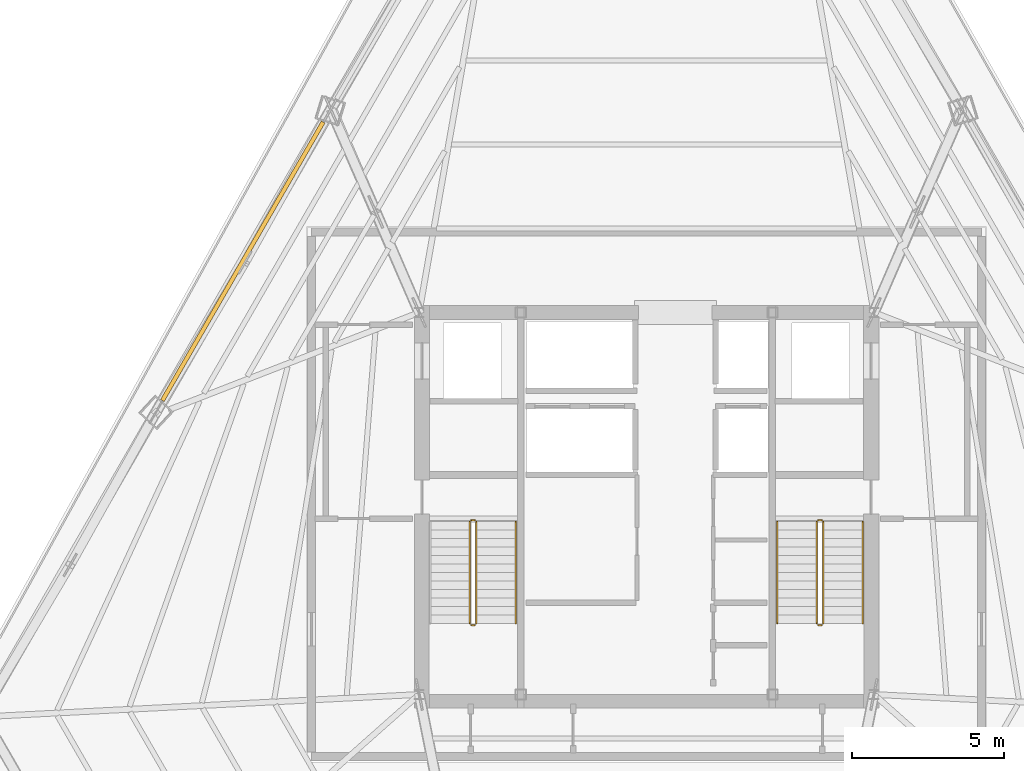
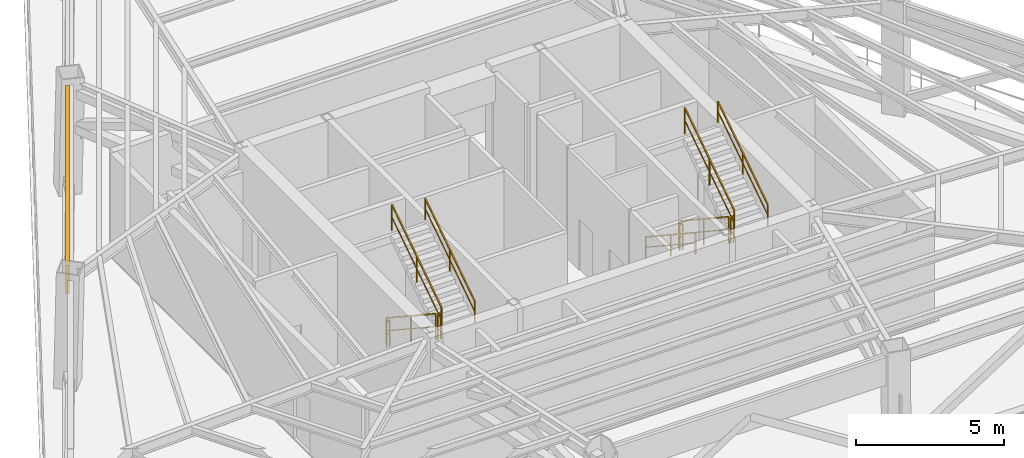
# One storey, part 9 of 10: 11 railings, 1 shading device.
"""IFC4 building model written with IfcOpenShell, lengths in metres."""

from ifc_helpers import new_model, si_unit, direction, frame, origin, origin_2d, place, context, subcontext, project, spatial, rectangle, extrude, source, transform, mapped, material, layer, layer_set, type_object, type_shapes, element, save


model = new_model("IFC4")

# Units and contexts
model_context = context("Model", 3, precision=1e-05, world=origin(), true_north=direction((0.0, 1.0)))
body_context = subcontext(model_context, "Body", "Model", "MODEL_VIEW")
ifc_project = project(units=[si_unit("LENGTHUNIT", "METRE"), si_unit("AREAUNIT", "SQUARE_METRE"), si_unit("VOLUMEUNIT", "CUBIC_METRE"), si_unit("PLANEANGLEUNIT", "RADIAN"), si_unit("MASSUNIT", "GRAM", prefix="KILO")], contexts=[model_context])

# Site, building, storey
site_placement = place(None, origin())
site = spatial("IfcSite", under=ifc_project, at=site_placement, CompositionType="ELEMENT")
building_placement = place(site_placement, origin())
building = spatial("IfcBuilding", under=site, at=building_placement, Name="Caelisora Broadcast Tower", CompositionType="ELEMENT")
storey_placement = place(building_placement, frame((0.0, 0.0, 220.550048828125)))
storey = spatial("IfcBuildingStorey", under=building, at=storey_placement, Name="L58", CompositionType="ELEMENT", Elevation=220.550048828125)

# Railings
ifc_material_1 = material(Name="Galvanised Steel Safety Guardrail", Category="steel")
ifc_layer_1 = layer(ifc_material_1, 0.048095703125, Name="Galvanised Steel Safety Guardrail")
ifc_layer_set_1 = layer_set([ifc_layer_1], Name="Galvanised Steel Safety Guardrail")
railing_type_1 = type_object("IfcRailingType", Name="GR-1", PredefinedType="GUARDRAIL", material=ifc_layer_set_1)
railing_1_placement = place(storey_placement, frame((32.169921875, 23.10009765625, 0.1845703125)))
element("IfcRailing", 1, at=railing_1_placement, inside=storey, type_object=railing_type_1, Name="L58 ST-1 stair guard 1", PredefinedType="GUARDRAIL", context=body_context, shape_type="SweptSolid", body=[
    extrude(rectangle(XDim=0.048095703125, YDim=0.048095703125, at=origin_2d()), frame((0.0, 0.0, 1.076171875), z_axis=(0.0, -0.834876476806, 0.550437342915), x_axis=(1.0, 0.0, 0.0)), (0.0, 0.0, 1.0), 4.024658203125),
    extrude(rectangle(XDim=0.03125, YDim=0.03125, at=origin_2d()), frame((0.0, 0.0, 0.550048828125), z_axis=(0.0, -0.834876476806, 0.550437342915), x_axis=(1.0, 0.0, 0.0)), (0.0, 0.0, 1.0), 4.024658203125),
    extrude(rectangle(XDim=0.0419921875, YDim=0.0419921875, at=origin_2d()), origin(), (0.0, 0.0, 1.0), 1.052001953125),
    extrude(rectangle(XDim=0.0419921875, YDim=0.0419921875, at=origin_2d()), frame((0.0, -1.68017578125, 1.107666015625)), (0.0, 0.0, 1.0), 1.052001953125),
    extrude(rectangle(XDim=0.0419921875, YDim=0.0419921875, at=origin_2d()), frame((0.0, -3.360107421875, 2.21533203125)), (0.0, 0.0, 1.0), 1.052001953125),
])
railing_2_placement = place(storey_placement, frame((32.219970703125, 19.68994140625, 2.39990234375)))
element("IfcRailing", 2, at=railing_2_placement, inside=storey, type_object=railing_type_1, Name="L58 ST-1 stair guard 2", PredefinedType="GUARDRAIL", context=body_context, shape_type="SweptSolid", body=[
    extrude(rectangle(XDim=0.048095703125, YDim=0.048095703125, at=origin_2d()), frame((0.0, 0.0, 1.076171875), z_axis=(1.0, 0.0, 0.0), x_axis=(0.0, 1.0, 0.0)), (0.0, 0.0, 1.0), 0.1201171875),
    extrude(rectangle(XDim=0.03125, YDim=0.03125, at=origin_2d()), frame((0.0, 0.0, 0.550048828125), z_axis=(1.0, 0.0, 0.0), x_axis=(0.0, 1.0, 0.0)), (0.0, 0.0, 1.0), 0.1201171875),
    extrude(rectangle(XDim=0.0419921875, YDim=0.0419921875, at=origin_2d()), origin(), (0.0, 0.0, 1.0), 1.052001953125),
    extrude(rectangle(XDim=0.0419921875, YDim=0.0419921875, at=origin_2d()), frame((0.1201171875, 0.0, 0.0)), (0.0, 0.0, 1.0), 1.052001953125),
])
railing_3_placement = place(storey_placement, frame((32.389892578125, 19.739990234375, 2.58447265625)))
element("IfcRailing", 3, at=railing_3_placement, inside=storey, type_object=railing_type_1, Name="L58 ST-1 stair guard 3", PredefinedType="GUARDRAIL", context=body_context, shape_type="SweptSolid", body=[
    extrude(rectangle(XDim=0.048095703125, YDim=0.048095703125, at=origin_2d()), frame((0.0, 0.0, 1.076171875), z_axis=(0.0, 0.834848600103, 0.550479622607), x_axis=(-1.0, 0.0, 0.0)), (0.0, 0.0, 1.0), 4.02490234375),
    extrude(rectangle(XDim=0.03125, YDim=0.03125, at=origin_2d()), frame((0.0, 0.0, 0.550048828125), z_axis=(0.0, 0.834848600103, 0.550479622607), x_axis=(-1.0, 0.0, 0.0)), (0.0, 0.0, 1.0), 4.02490234375),
    extrude(rectangle(XDim=0.0419921875, YDim=0.0419921875, at=origin_2d()), origin(), (0.0, 0.0, 1.0), 1.052001953125),
    extrude(rectangle(XDim=0.0419921875, YDim=0.0419921875, at=origin_2d()), frame((0.0, 1.68017578125, 1.10791015625)), (0.0, 0.0, 1.0), 1.052001953125),
    extrude(rectangle(XDim=0.0419921875, YDim=0.0419921875, at=origin_2d()), frame((0.0, 3.360107421875, 2.215576171875)), (0.0, 0.0, 1.0), 1.052001953125),
])
railing_4_placement = place(storey_placement, frame((32.219970703125, 23.14990234375, 0.0)))
element("IfcRailing", 4, at=railing_4_placement, inside=storey, type_object=railing_type_1, Name="L58 ST-1 stair guard 4", PredefinedType="GUARDRAIL", context=body_context, shape_type="SweptSolid", body=[
    extrude(rectangle(XDim=0.048095703125, YDim=0.048095703125, at=origin_2d()), frame((0.0, 0.0, 1.076171875), z_axis=(1.0, 0.0, 0.0), x_axis=(0.0, 1.0, 0.0)), (0.0, 0.0, 1.0), 0.1201171875),
    extrude(rectangle(XDim=0.03125, YDim=0.03125, at=origin_2d()), frame((0.0, 0.0, 0.550048828125), z_axis=(1.0, 0.0, 0.0), x_axis=(0.0, 1.0, 0.0)), (0.0, 0.0, 1.0), 0.1201171875),
    extrude(rectangle(XDim=0.0419921875, YDim=0.0419921875, at=origin_2d()), origin(), (0.0, 0.0, 1.0), 1.052001953125),
    extrude(rectangle(XDim=0.0419921875, YDim=0.0419921875, at=origin_2d()), frame((0.1201171875, 0.0, 0.0)), (0.0, 0.0, 1.0), 1.052001953125),
])
railing_5_placement = place(storey_placement, frame((43.610107421875, 23.10009765625, 0.1845703125)))
element("IfcRailing", 5, at=railing_5_placement, inside=storey, type_object=railing_type_1, Name="L58 ST-2 stair guard 1", PredefinedType="GUARDRAIL", context=body_context, shape_type="SweptSolid", body=[
    extrude(rectangle(XDim=0.048095703125, YDim=0.048095703125, at=origin_2d()), frame((0.0, 0.0, 1.076171875), z_axis=(0.0, -0.834876476806, 0.550437342915), x_axis=(1.0, 0.0, 0.0)), (0.0, 0.0, 1.0), 4.024658203125),
    extrude(rectangle(XDim=0.03125, YDim=0.03125, at=origin_2d()), frame((0.0, 0.0, 0.550048828125), z_axis=(0.0, -0.834876476806, 0.550437342915), x_axis=(1.0, 0.0, 0.0)), (0.0, 0.0, 1.0), 4.024658203125),
    extrude(rectangle(XDim=0.0419921875, YDim=0.0419921875, at=origin_2d()), origin(), (0.0, 0.0, 1.0), 1.052001953125),
    extrude(rectangle(XDim=0.0419921875, YDim=0.0419921875, at=origin_2d()), frame((0.0, -1.68017578125, 1.107666015625)), (0.0, 0.0, 1.0), 1.052001953125),
    extrude(rectangle(XDim=0.0419921875, YDim=0.0419921875, at=origin_2d()), frame((0.0, -3.360107421875, 2.21533203125)), (0.0, 0.0, 1.0), 1.052001953125),
])
railing_6_placement = place(storey_placement, frame((43.659912109375, 19.68994140625, 2.39990234375)))
element("IfcRailing", 6, at=railing_6_placement, inside=storey, type_object=railing_type_1, Name="L58 ST-2 stair guard 2", PredefinedType="GUARDRAIL", context=body_context, shape_type="SweptSolid", body=[
    extrude(rectangle(XDim=0.048095703125, YDim=0.048095703125, at=origin_2d()), frame((0.0, 0.0, 1.076171875), z_axis=(1.0, 0.0, 0.0), x_axis=(0.0, 1.0, 0.0)), (0.0, 0.0, 1.0), 0.1201171875),
    extrude(rectangle(XDim=0.03125, YDim=0.03125, at=origin_2d()), frame((0.0, 0.0, 0.550048828125), z_axis=(1.0, 0.0, 0.0), x_axis=(0.0, 1.0, 0.0)), (0.0, 0.0, 1.0), 0.1201171875),
    extrude(rectangle(XDim=0.0419921875, YDim=0.0419921875, at=origin_2d()), origin(), (0.0, 0.0, 1.0), 1.052001953125),
    extrude(rectangle(XDim=0.0419921875, YDim=0.0419921875, at=origin_2d()), frame((0.1201171875, 0.0, 0.0)), (0.0, 0.0, 1.0), 1.052001953125),
])
railing_7_placement = place(storey_placement, frame((43.830078125, 19.739990234375, 2.58447265625)))
element("IfcRailing", 7, at=railing_7_placement, inside=storey, type_object=railing_type_1, Name="L58 ST-2 stair guard 3", PredefinedType="GUARDRAIL", context=body_context, shape_type="SweptSolid", body=[
    extrude(rectangle(XDim=0.048095703125, YDim=0.048095703125, at=origin_2d()), frame((0.0, 0.0, 1.076171875), z_axis=(0.0, 0.834848600103, 0.550479622607), x_axis=(-1.0, 0.0, 0.0)), (0.0, 0.0, 1.0), 4.02490234375),
    extrude(rectangle(XDim=0.03125, YDim=0.03125, at=origin_2d()), frame((0.0, 0.0, 0.550048828125), z_axis=(0.0, 0.834848600103, 0.550479622607), x_axis=(-1.0, 0.0, 0.0)), (0.0, 0.0, 1.0), 4.02490234375),
    extrude(rectangle(XDim=0.0419921875, YDim=0.0419921875, at=origin_2d()), origin(), (0.0, 0.0, 1.0), 1.052001953125),
    extrude(rectangle(XDim=0.0419921875, YDim=0.0419921875, at=origin_2d()), frame((0.0, 1.68017578125, 1.10791015625)), (0.0, 0.0, 1.0), 1.052001953125),
    extrude(rectangle(XDim=0.0419921875, YDim=0.0419921875, at=origin_2d()), frame((0.0, 3.360107421875, 2.215576171875)), (0.0, 0.0, 1.0), 1.052001953125),
])
railing_8_placement = place(storey_placement, frame((43.659912109375, 23.14990234375, 0.0)))
element("IfcRailing", 8, at=railing_8_placement, inside=storey, type_object=railing_type_1, Name="L58 ST-2 stair guard 4", PredefinedType="GUARDRAIL", context=body_context, shape_type="SweptSolid", body=[
    extrude(rectangle(XDim=0.048095703125, YDim=0.048095703125, at=origin_2d()), frame((0.0, 0.0, 1.076171875), z_axis=(1.0, 0.0, 0.0), x_axis=(0.0, 1.0, 0.0)), (0.0, 0.0, 1.0), 0.1201171875),
    extrude(rectangle(XDim=0.03125, YDim=0.03125, at=origin_2d()), frame((0.0, 0.0, 0.550048828125), z_axis=(1.0, 0.0, 0.0), x_axis=(0.0, 1.0, 0.0)), (0.0, 0.0, 1.0), 0.1201171875),
    extrude(rectangle(XDim=0.0419921875, YDim=0.0419921875, at=origin_2d()), origin(), (0.0, 0.0, 1.0), 1.052001953125),
    extrude(rectangle(XDim=0.0419921875, YDim=0.0419921875, at=origin_2d()), frame((0.1201171875, 0.0, 0.0)), (0.0, 0.0, 1.0), 1.052001953125),
])
ifc_material_2 = material(Name="Stainless Steel Grade 316 Tubular Handrail", Category="steel")
ifc_layer_2 = layer(ifc_material_2, 0.048095703125, Name="Stainless Steel Grade 316 Tubular Handrail")
ifc_layer_set_2 = layer_set([ifc_layer_2], Name="Stainless Steel Grade 316 Tubular Handrail")
railing_type_2 = type_object("IfcRailingType", Name="HR-1", PredefinedType="HANDRAIL", material=ifc_layer_set_2)
railing_9_placement = place(storey_placement, frame((33.68994140625, 19.739990234375, 2.58447265625)))
element("IfcRailing", 9, at=railing_9_placement, inside=storey, type_object=railing_type_2, Name="L58 ST-1 stair handrail 2", PredefinedType="HANDRAIL", context=body_context, shape_type="SweptSolid", body=[
    extrude(rectangle(XDim=0.048095703125, YDim=0.048095703125, at=origin_2d()), frame((0.0, 0.0, 0.8759765625), z_axis=(0.0, 0.834848600103, 0.550479622607), x_axis=(-1.0, 0.0, 0.0)), (0.0, 0.0, 1.0), 4.02490234375),
    extrude(rectangle(XDim=0.03125, YDim=0.03125, at=origin_2d()), frame((0.0, 0.0, 0.449951171875), z_axis=(0.0, 0.834848600103, 0.550479622607), x_axis=(-1.0, 0.0, 0.0)), (0.0, 0.0, 1.0), 4.02490234375),
    extrude(rectangle(XDim=0.0419921875, YDim=0.0419921875, at=origin_2d()), origin(), (0.0, 0.0, 1.0), 0.851806640625),
    extrude(rectangle(XDim=0.0419921875, YDim=0.0419921875, at=origin_2d()), frame((0.0, 1.68017578125, 1.10791015625)), (0.0, 0.0, 1.0), 0.851806640625),
    extrude(rectangle(XDim=0.0419921875, YDim=0.0419921875, at=origin_2d()), frame((0.0, 3.360107421875, 2.215576171875)), (0.0, 0.0, 1.0), 0.851806640625),
])
railing_10_placement = place(storey_placement, frame((42.31005859375, 23.10009765625, 0.1845703125)))
element("IfcRailing", 10, at=railing_10_placement, inside=storey, type_object=railing_type_2, Name="L58 ST-2 stair handrail 1", PredefinedType="HANDRAIL", context=body_context, shape_type="SweptSolid", body=[
    extrude(rectangle(XDim=0.048095703125, YDim=0.048095703125, at=origin_2d()), frame((0.0, 0.0, 0.8759765625), z_axis=(0.0, -0.834876476806, 0.550437342915), x_axis=(1.0, 0.0, 0.0)), (0.0, 0.0, 1.0), 4.024658203125),
    extrude(rectangle(XDim=0.03125, YDim=0.03125, at=origin_2d()), frame((0.0, 0.0, 0.449951171875), z_axis=(0.0, -0.834876476806, 0.550437342915), x_axis=(1.0, 0.0, 0.0)), (0.0, 0.0, 1.0), 4.024658203125),
    extrude(rectangle(XDim=0.0419921875, YDim=0.0419921875, at=origin_2d()), origin(), (0.0, 0.0, 1.0), 0.851806640625),
    extrude(rectangle(XDim=0.0419921875, YDim=0.0419921875, at=origin_2d()), frame((0.0, -1.68017578125, 1.107666015625)), (0.0, 0.0, 1.0), 0.851806640625),
    extrude(rectangle(XDim=0.0419921875, YDim=0.0419921875, at=origin_2d()), frame((0.0, -3.360107421875, 2.21533203125)), (0.0, 0.0, 1.0), 0.851806640625),
])
railing_11_placement = place(storey_placement, frame((45.1298828125, 19.739990234375, 2.58447265625)))
element("IfcRailing", 11, at=railing_11_placement, inside=storey, type_object=railing_type_2, Name="L58 ST-2 stair handrail 2", PredefinedType="HANDRAIL", context=body_context, shape_type="SweptSolid", body=[
    extrude(rectangle(XDim=0.048095703125, YDim=0.048095703125, at=origin_2d()), frame((0.0, 0.0, 0.8759765625), z_axis=(0.0, 0.834848600103, 0.550479622607), x_axis=(-1.0, 0.0, 0.0)), (0.0, 0.0, 1.0), 4.02490234375),
    extrude(rectangle(XDim=0.03125, YDim=0.03125, at=origin_2d()), frame((0.0, 0.0, 0.449951171875), z_axis=(0.0, 0.834848600103, 0.550479622607), x_axis=(-1.0, 0.0, 0.0)), (0.0, 0.0, 1.0), 4.02490234375),
    extrude(rectangle(XDim=0.0419921875, YDim=0.0419921875, at=origin_2d()), origin(), (0.0, 0.0, 1.0), 0.851806640625),
    extrude(rectangle(XDim=0.0419921875, YDim=0.0419921875, at=origin_2d()), frame((0.0, 1.68017578125, 1.10791015625)), (0.0, 0.0, 1.0), 0.851806640625),
    extrude(rectangle(XDim=0.0419921875, YDim=0.0419921875, at=origin_2d()), frame((0.0, 3.360107421875, 2.215576171875)), (0.0, 0.0, 1.0), 0.851806640625),
])

# Shading device
ifc_material_3 = material(Name="Anodised Terracotta Aluminium Acoustic Louvre", Category="aluminium")
ifc_layer_3 = layer(ifc_material_3, 0.139892578125, Name="Anodised Terracotta Aluminium Acoustic Louvre")
ifc_layer_set_3 = layer_set([ifc_layer_3], Name="Anodised Terracotta Aluminium Acoustic Louvre")
shading_device_type = type_object("IfcShadingDeviceType", Name="LV-1", PredefinedType="JALOUSIE", material=ifc_layer_set_3)
shared_shape = source(origin(), body_context, "Body", "SweptSolid", [
    extrude(rectangle(XDim=10.607421875, YDim=0.139892578125, at=origin_2d()), origin(), (0.0, 0.0, 1.0), 1.14990234375),
])
type_shapes(shading_device_type, [shared_shape])
shading_device_placement = place(storey_placement, frame((24.68212890625, 31.689208984375, 3.409912109375), z_axis=(0.0, 0.0, 1.0), x_axis=(-0.5, -0.866025403784, 0.0)))
element("IfcShadingDevice", 12, at=shading_device_placement, inside=storey, type_object=shading_device_type, Name="L58 refuge wind-baffle louvre #2", PredefinedType="JALOUSIE", context=body_context, shape_type="MappedRepresentation", body=[
    mapped(shared_shape, transform((0.0, 0.0, 0.0), scale=1.0)),
])

save(model, "model.ifc")
